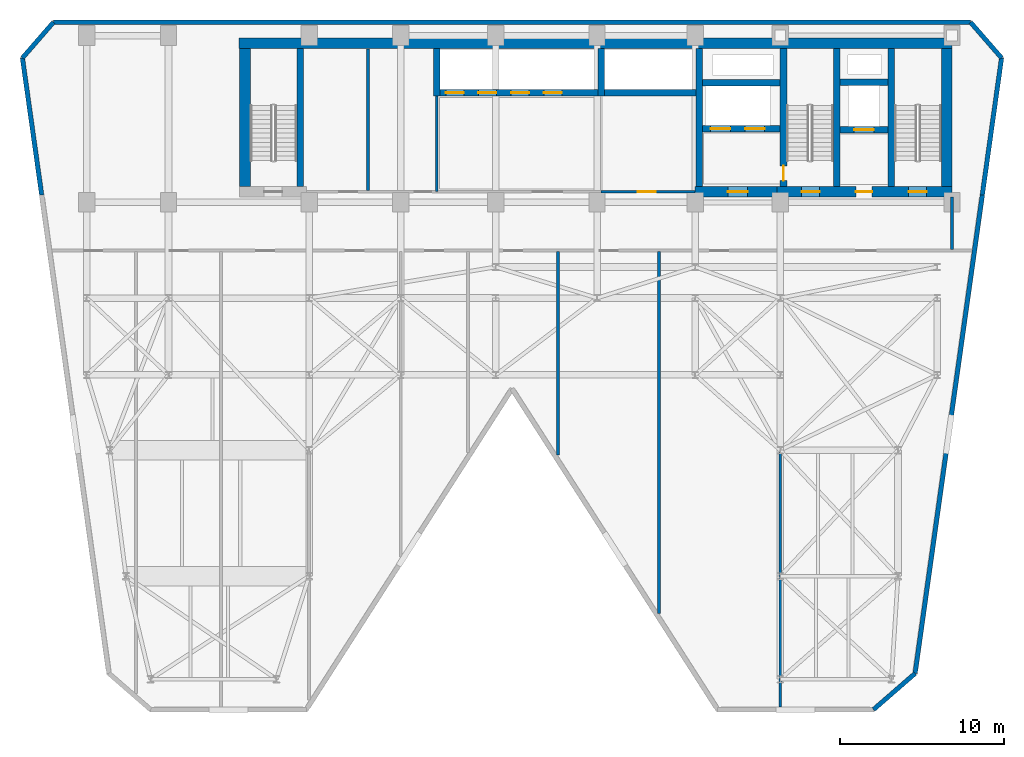
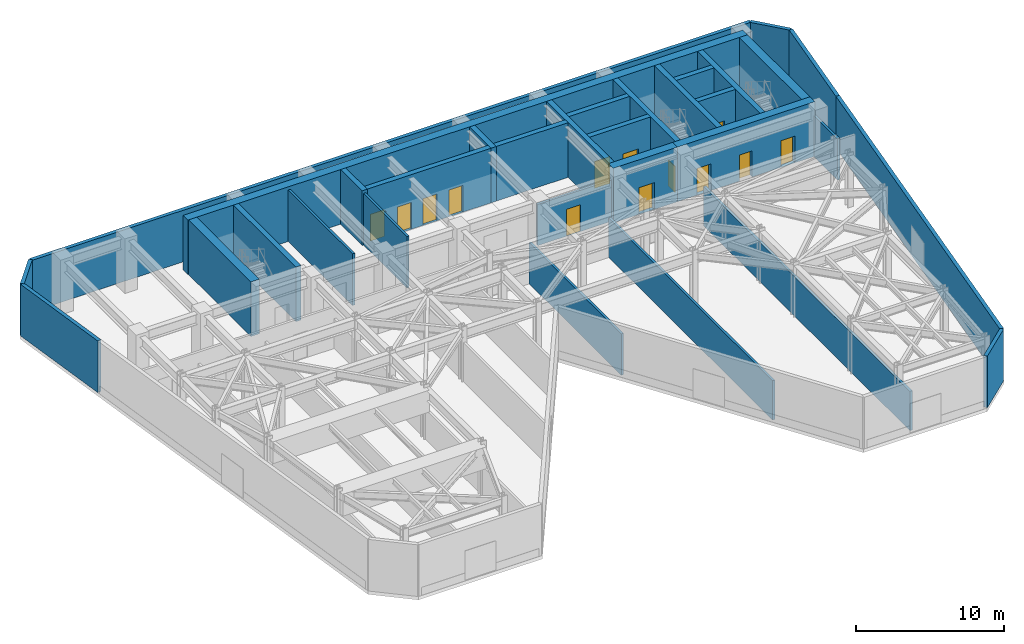
# One storey, part 4 of 8: 32 walls, 13 doors, 13 openings.
"""IFC4 building model written with IfcOpenShell, lengths in metres."""

from ifc_helpers import new_model, si_unit, direction, frame, frame_2d, origin, place, context, subcontext, project, spatial, rectangle, extrude, material, layer, layer_set, type_object, element, fill, save


model = new_model("IFC4")

# Units and contexts
model_context = context("Model", 3, precision=1e-05, world=origin(), true_north=direction((0.0, 1.0)))
body_context = subcontext(model_context, "Body", "Model", "MODEL_VIEW")
ifc_project = project(units=[si_unit("LENGTHUNIT", "METRE"), si_unit("AREAUNIT", "SQUARE_METRE"), si_unit("VOLUMEUNIT", "CUBIC_METRE"), si_unit("PLANEANGLEUNIT", "RADIAN"), si_unit("MASSUNIT", "GRAM", prefix="KILO")], contexts=[model_context])

# Site, building, storey
site_placement = place(None, origin())
site = spatial("IfcSite", under=ifc_project, at=site_placement, CompositionType="ELEMENT")
building_placement = place(site_placement, origin())
building = spatial("IfcBuilding", under=site, at=building_placement, Name="Kravanh Interchange Tower", CompositionType="ELEMENT")
storey_placement = place(building_placement, frame((0.0, 0.0, 156.0)))
storey = spatial("IfcBuildingStorey", under=building, at=storey_placement, Name="L37", CompositionType="ELEMENT", Elevation=156.0)

# Wall
ifc_material_1 = material(Name="Concrete C70/85", Category="concrete")
ifc_layer_1 = layer(ifc_material_1, 0.64990234375)
ifc_layer_set_1 = layer_set([ifc_layer_1], Name="Core Shear Wall Concrete C70/85 650mm")
wall_type_1 = type_object("IfcWallType", Name="Core Shear Wall Concrete C70/85 650mm", PredefinedType="SHEAR", material=ifc_layer_set_1)
wall_1_placement = place(storey_placement, frame((22.89990234375, 47.074951171875, 0.0), z_axis=(0.0, 0.0, 1.0), x_axis=(1.0, 0.0, 0.0)))
element("IfcWall", 1, at=wall_1_placement, inside=storey, type_object=wall_type_1, Name="L37 North Core Shear Wall", PredefinedType="SHEAR", context=body_context, shape_type="SweptSolid", body=[
    extrude(rectangle(XDim=43.60009765625, YDim=0.64990234375, at=frame_2d((21.800048828125, 0.0))), origin(), (0.0, 0.0, 1.0), 4.5),
])

# Wall, openings, doors
wall_2_placement = place(storey_placement, frame((55.800048828125, 38.0, 0.0), z_axis=(0.0, 0.0, 1.0), x_axis=(1.0, 0.0, 0.0)))
wall_2 = element("IfcWall", 2, at=wall_2_placement, inside=storey, type_object=wall_type_1, Name="L37 East Core South Shear Wall", PredefinedType="SHEAR", context=body_context, shape_type="SweptSolid", body=[
    extrude(rectangle(XDim=10.699951171875, YDim=0.64990234375, at=frame_2d((5.35009765625, 0.0))), origin(), (0.0, 0.0, 1.0), 4.5),
])
opening_1_placement = place(wall_2_placement, frame((1.5, 0.0, 0.0)))
opening_1 = element("IfcOpeningElement", 3, at=opening_1_placement, cuts=wall_2, Name="Opening D-STAIR-110", PredefinedType="OPENING", context=body_context, shape_type="SweptSolid", body=[
    extrude(rectangle(XDim=1.10009765625, YDim=2.199951171875, at=frame_2d((0.550048828125, 1.10009765625))), frame((0.0, 0.3349609375, 0.0), z_axis=(0.0, -1.0, 0.0), x_axis=(1.0, 0.0, 0.0)), (0.0, 0.0, 1.0), 0.669921875),
])
opening_2_placement = place(wall_2_placement, frame((4.820068359375, 0.0, 0.0)))
opening_2 = element("IfcOpeningElement", 4, at=opening_2_placement, cuts=wall_2, Name="Opening D-HOTEL-100", PredefinedType="OPENING", context=body_context, shape_type="SweptSolid", body=[
    extrude(rectangle(XDim=1.0, YDim=2.14990234375, at=frame_2d((0.5, 1.074951171875))), frame((0.0, 0.3349609375, 0.0), z_axis=(0.0, -1.0, 0.0), x_axis=(1.0, 0.0, 0.0)), (0.0, 0.0, 1.0), 0.669921875),
])
opening_3_placement = place(wall_2_placement, frame((8.050048828125, 0.0, 0.0)))
opening_3 = element("IfcOpeningElement", 5, at=opening_3_placement, cuts=wall_2, Name="Opening D-STAIR-110", PredefinedType="OPENING", context=body_context, shape_type="SweptSolid", body=[
    extrude(rectangle(XDim=1.10009765625, YDim=2.199951171875, at=frame_2d((0.550048828125, 1.10009765625))), frame((0.0, 0.3349609375, 0.0), z_axis=(0.0, -1.0, 0.0), x_axis=(1.0, 0.0, 0.0)), (0.0, 0.0, 1.0), 0.669921875),
])
ifc_material_2 = material(Name="Structural Steel S355", Category="steel")
door_type_1 = type_object("IfcDoorType", Name="Fire-Rated Exit Stair Door 1100x2200", OperationType="NOTDEFINED", PredefinedType="DOOR", material=ifc_material_2)
door_1_placement = place(opening_1_placement, origin())
door_1 = element("IfcDoor", 6, at=door_1_placement, inside=storey, type_object=door_type_1, Name="L37 Exit Stair ST2 Door", OperationType="SINGLE_SWING_RIGHT", OverallHeight=2.199951171875, OverallWidth=1.10009765625, PredefinedType="DOOR", context=body_context, shape_type="SweptSolid", body=[
    extrude(rectangle(XDim=1.10009765625, YDim=2.199951171875, at=frame_2d((0.550048828125, 1.10009765625))), frame((0.0, 0.02490234375, 0.0), z_axis=(0.0, -1.0, 0.0), x_axis=(1.0, 0.0, 0.0)), (0.0, 0.0, 1.0), 0.050048828125),
])
fill(opening_1, door_1)
door_2_placement = place(opening_3_placement, origin())
door_2 = element("IfcDoor", 7, at=door_2_placement, inside=storey, type_object=door_type_1, Name="L37 Exit Stair ST1 Door", OperationType="SINGLE_SWING_RIGHT", OverallHeight=2.199951171875, OverallWidth=1.10009765625, PredefinedType="DOOR", context=body_context, shape_type="SweptSolid", body=[
    extrude(rectangle(XDim=1.10009765625, YDim=2.199951171875, at=frame_2d((0.550048828125, 1.10009765625))), frame((0.0, 0.02490234375, 0.0), z_axis=(0.0, -1.0, 0.0), x_axis=(1.0, 0.0, 0.0)), (0.0, 0.0, 1.0), 0.050048828125),
])
fill(opening_3, door_2)
ifc_material_3 = material(Name="Fire-Rated Solid Timber Leaf", Category="wood")
door_type_2 = type_object("IfcDoorType", Name="Fire-Rated Suite Entrance Door 1000x2150", OperationType="NOTDEFINED", PredefinedType="DOOR", material=ifc_material_3)
door_3_placement = place(opening_2_placement, origin())
door_3 = element("IfcDoor", 8, at=door_3_placement, inside=storey, type_object=door_type_2, Name="L37 Service Lift Lobby Door", OperationType="SINGLE_SWING_RIGHT", OverallHeight=2.14990234375, OverallWidth=1.0, PredefinedType="DOOR", context=body_context, shape_type="SweptSolid", body=[
    extrude(rectangle(XDim=1.0, YDim=2.14990234375, at=frame_2d((0.5, 1.074951171875))), frame((0.0, 0.02490234375, 0.0), z_axis=(0.0, -1.0, 0.0), x_axis=(1.0, 0.0, 0.0)), (0.0, 0.0, 1.0), 0.050048828125),
])
fill(opening_2, door_3)

# Wall
wall_3_placement = place(storey_placement, frame((66.175048828125, 38.324951171875, 0.0), z_axis=(0.0, 0.0, 1.0), x_axis=(0.0, 1.0, 0.0)))
element("IfcWall", 9, at=wall_3_placement, inside=storey, type_object=wall_type_1, Name="L37 Stair ST1 East Shear Wall", PredefinedType="SHEAR", context=body_context, shape_type="SweptSolid", body=[
    extrude(rectangle(XDim=8.425048828125, YDim=0.64990234375, at=frame_2d((4.21240234375, 0.0))), origin(), (0.0, 0.0, 1.0), 4.5),
])

# Wall, opening, door
wall_4_placement = place(storey_placement, frame((50.800048828125, 38.0, 0.0), z_axis=(0.0, 0.0, 1.0), x_axis=(1.0, 0.0, 0.0)))
wall_4 = element("IfcWall", 10, at=wall_4_placement, inside=storey, type_object=wall_type_1, Name="L37 Firefighting Lobby South Shear Wall", PredefinedType="SHEAR", context=body_context, shape_type="SweptSolid", body=[
    extrude(rectangle(XDim=5.0, YDim=0.64990234375, at=frame_2d((2.5, 0.0))), origin(), (0.0, 0.0, 1.0), 4.5),
])
opening_4_placement = place(wall_4_placement, frame((2.0, 0.0, 0.0)))
opening_4 = element("IfcOpeningElement", 11, at=opening_4_placement, cuts=wall_4, Name="Opening D-FSAE-120", PredefinedType="OPENING", context=body_context, shape_type="SweptSolid", body=[
    extrude(rectangle(XDim=1.199951171875, YDim=2.199951171875, at=frame_2d((0.60009765625, 1.10009765625))), frame((0.0, 0.3349609375, 0.0), z_axis=(0.0, -1.0, 0.0), x_axis=(1.0, 0.0, 0.0)), (0.0, 0.0, 1.0), 0.669921875),
])
ifc_material_4 = material(Name="Structural Steel S355", Category="steel")
door_type_3 = type_object("IfcDoorType", Name="Fire-Rated Refuge and FSAE Door 1200x2200", OperationType="NOTDEFINED", PredefinedType="DOOR", material=ifc_material_4)
door_4_placement = place(opening_4_placement, origin())
door_4 = element("IfcDoor", 12, at=door_4_placement, inside=storey, type_object=door_type_3, Name="L37 Firefighting Lobby Corridor Door", OperationType="SINGLE_SWING_RIGHT", OverallHeight=2.199951171875, OverallWidth=1.199951171875, PredefinedType="DOOR", context=body_context, shape_type="SweptSolid", body=[
    extrude(rectangle(XDim=1.199951171875, YDim=2.199951171875, at=frame_2d((0.60009765625, 1.10009765625))), frame((0.0, 0.02490234375, 0.0), z_axis=(0.0, -1.0, 0.0), x_axis=(1.0, 0.0, 0.0)), (0.0, 0.0, 1.0), 0.050048828125),
])
fill(opening_4, door_4)

# Walls
wall_5_placement = place(storey_placement, frame((23.27490234375, 38.324951171875, 0.0), z_axis=(0.0, 0.0, 1.0), x_axis=(0.0, 1.0, 0.0)))
element("IfcWall", 13, at=wall_5_placement, inside=storey, type_object=wall_type_1, Name="L37 Stair ST3 West Shear Wall", PredefinedType="SHEAR", context=body_context, shape_type="SweptSolid", body=[
    extrude(rectangle(XDim=8.425048828125, YDim=0.64990234375, at=frame_2d((4.21240234375, 0.0))), origin(), (0.0, 0.0, 1.0), 4.5),
])
ifc_material_5 = material(Name="Concrete C80/95", Category="concrete")
ifc_layer_2 = layer(ifc_material_5, 0.39990234375)
ifc_layer_set_2 = layer_set([ifc_layer_2], Name="Core Shear Wall Concrete C80/95 400mm")
wall_type_2 = type_object("IfcWallType", Name="Core Shear Wall Concrete C80/95 400mm", PredefinedType="SHEAR", material=ifc_layer_set_2)
for number, where, z_axis, x_axis, name in (
    (14, (62.800048828125, 38.324951171875, 0.0), (0.0, 0.0, 1.0), (0.0, 1.0, 0.0), "L37 Stair ST1 West Shear Wall"),
    (15, (59.449951171875, 38.324951171875, 0.0), (0.0, 0.0, 1.0), (0.0, 1.0, 0.0), "L37 Stair ST2 East Shear Wall"),
):
    element("IfcWall", number, at=place(storey_placement, frame(where, z_axis=z_axis, x_axis=x_axis)), inside=storey, type_object=wall_type_2, Name=name, PredefinedType="SHEAR", context=body_context, shape_type="SweptSolid", body=[
        extrude(rectangle(XDim=8.425048828125, YDim=0.39990234375, at=frame_2d((4.21240234375, 0.0))), origin(), (0.0, 0.0, 1.0), 4.5),
    ])

# Wall, opening, door
wall_6_placement = place(storey_placement, frame((56.199951171875, 38.324951171875, 0.0), z_axis=(0.0, 0.0, 1.0), x_axis=(0.0, 1.0, 0.0)))
wall_6 = element("IfcWall", 16, at=wall_6_placement, inside=storey, type_object=wall_type_2, Name="L37 Stair ST2 West Shear Wall", PredefinedType="SHEAR", context=body_context, shape_type="SweptSolid", body=[
    extrude(rectangle(XDim=8.425048828125, YDim=0.39990234375, at=frame_2d((4.21240234375, 0.0))), origin(), (0.0, 0.0, 1.0), 4.5),
])
opening_5_placement = place(wall_6_placement, frame((0.35498046875, 0.0, 0.0)))
opening_5 = element("IfcOpeningElement", 17, at=opening_5_placement, cuts=wall_6, Name="Opening D-STAIR-90", PredefinedType="OPENING", context=body_context, shape_type="SweptSolid", body=[
    extrude(rectangle(XDim=0.89990234375, YDim=2.14990234375, at=frame_2d((0.449951171875, 1.074951171875))), frame((0.0, 0.2099609375, 0.0), z_axis=(0.0, -1.0, 0.0), x_axis=(1.0, 0.0, 0.0)), (0.0, 0.0, 1.0), 0.419921875),
])
ifc_material_6 = material(Name="Structural Steel S355", Category="steel")
door_type_4 = type_object("IfcDoorType", Name="Fire-Rated Stair Lobby Door 900x2150", OperationType="NOTDEFINED", PredefinedType="DOOR", material=ifc_material_6)
door_5_placement = place(opening_5_placement, origin())
door_5 = element("IfcDoor", 18, at=door_5_placement, inside=storey, type_object=door_type_4, Name="L37 Firefighting Lobby to Stair ST2 Door", OperationType="SINGLE_SWING_LEFT", OverallHeight=2.14990234375, OverallWidth=0.89990234375, PredefinedType="DOOR", context=body_context, shape_type="SweptSolid", body=[
    extrude(rectangle(XDim=0.89990234375, YDim=2.14990234375, at=frame_2d((0.449951171875, 1.074951171875))), frame((0.0, 0.02490234375, 0.0), z_axis=(0.0, -1.0, 0.0), x_axis=(1.0, 0.0, 0.0)), (0.0, 0.0, 1.0), 0.050048828125),
])
fill(opening_5, door_5)

wall_7_placement = place(storey_placement, frame((59.64990234375, 41.800048828125, 0.0), z_axis=(0.0, 0.0, 1.0), x_axis=(1.0, 0.0, 0.0)))
wall_7 = element("IfcWall", 19, at=wall_7_placement, inside=storey, type_object=wall_type_2, Name="L37 Service Lift Shaft South Wall", PredefinedType="SHEAR", context=body_context, shape_type="SweptSolid", body=[
    extrude(rectangle(XDim=2.9501953125, YDim=0.39990234375, at=frame_2d((1.47509765625, 0.0))), origin(), (0.0, 0.0, 1.0), 4.5),
])
opening_6_placement = place(wall_7_placement, frame((0.8701171875, 0.0, 0.0)))
opening_6 = element("IfcOpeningElement", 20, at=opening_6_placement, cuts=wall_7, Name="Opening LD02", PredefinedType="OPENING", context=body_context, shape_type="SweptSolid", body=[
    extrude(rectangle(XDim=1.199951171875, YDim=2.199951171875, at=frame_2d((0.60009765625, 1.10009765625))), frame((0.0, 0.2099609375, 0.0), z_axis=(0.0, -1.0, 0.0), x_axis=(1.0, 0.0, 0.0)), (0.0, 0.0, 1.0), 0.419921875),
])
ifc_material_7 = material(Name="Stainless Steel 316", Category="steel")
door_type_5 = type_object("IfcDoorType", Name="Fire and Service Lift Sliding Landing Door 1200x2200", OperationType="DOUBLE_DOOR_SLIDING", PredefinedType="DOOR", material=ifc_material_7)
door_6_placement = place(opening_6_placement, origin())
door_6 = element("IfcDoor", 21, at=door_6_placement, inside=storey, type_object=door_type_5, Name="L37 Lift LS-01 Landing Door", OperationType="DOUBLE_DOOR_SLIDING", OverallHeight=2.199951171875, OverallWidth=1.199951171875, PredefinedType="DOOR", context=body_context, shape_type="SweptSolid", body=[
    extrude(rectangle(XDim=1.199951171875, YDim=2.199951171875, at=frame_2d((0.60009765625, 1.10009765625))), frame((0.0, 0.02490234375, 0.0), z_axis=(0.0, -1.0, 0.0), x_axis=(1.0, 0.0, 0.0)), (0.0, 0.0, 1.0), 0.050048828125),
])
fill(opening_6, door_6)

# Wall
wall_8_placement = place(storey_placement, frame((59.64990234375, 44.699951171875, 0.0), z_axis=(0.0, 0.0, 1.0), x_axis=(1.0, 0.0, 0.0)))
element("IfcWall", 22, at=wall_8_placement, inside=storey, type_object=wall_type_2, Name="L37 Service Lift Shaft North Wall", PredefinedType="SHEAR", context=body_context, shape_type="SweptSolid", body=[
    extrude(rectangle(XDim=2.9501953125, YDim=0.39990234375, at=frame_2d((1.47509765625, 0.0))), origin(), (0.0, 0.0, 1.0), 4.5),
])

# Wall, openings, doors
wall_9_placement = place(storey_placement, frame((51.25, 41.85009765625, 0.0), z_axis=(0.0, 0.0, 1.0), x_axis=(1.0, 0.0, 0.0)))
wall_9 = element("IfcWall", 23, at=wall_9_placement, inside=storey, type_object=wall_type_2, Name="L37 Fire Lift Shaft South Wall", PredefinedType="SHEAR", context=body_context, shape_type="SweptSolid", body=[
    extrude(rectangle(XDim=4.75, YDim=0.39990234375, at=frame_2d((2.375, 0.0))), origin(), (0.0, 0.0, 1.0), 4.5),
])
opening_7_placement = place(wall_9_placement, frame((0.5, 0.0, 0.0)))
opening_7 = element("IfcOpeningElement", 24, at=opening_7_placement, cuts=wall_9, Name="Opening LD02", PredefinedType="OPENING", context=body_context, shape_type="SweptSolid", body=[
    extrude(rectangle(XDim=1.199951171875, YDim=2.199951171875, at=frame_2d((0.60009765625, 1.10009765625))), frame((0.0, 0.2099609375, 0.0), z_axis=(0.0, -1.0, 0.0), x_axis=(1.0, 0.0, 0.0)), (0.0, 0.0, 1.0), 0.419921875),
])
opening_8_placement = place(wall_9_placement, frame((2.60009765625, 0.0, 0.0)))
opening_8 = element("IfcOpeningElement", 25, at=opening_8_placement, cuts=wall_9, Name="Opening LD02", PredefinedType="OPENING", context=body_context, shape_type="SweptSolid", body=[
    extrude(rectangle(XDim=1.199951171875, YDim=2.199951171875, at=frame_2d((0.60009765625, 1.10009765625))), frame((0.0, 0.2099609375, 0.0), z_axis=(0.0, -1.0, 0.0), x_axis=(1.0, 0.0, 0.0)), (0.0, 0.0, 1.0), 0.419921875),
])
door_7_placement = place(opening_7_placement, origin())
door_7 = element("IfcDoor", 26, at=door_7_placement, inside=storey, type_object=door_type_5, Name="L37 Lift FSAE-01 Landing Door", OperationType="DOUBLE_DOOR_SLIDING", OverallHeight=2.199951171875, OverallWidth=1.199951171875, PredefinedType="DOOR", context=body_context, shape_type="SweptSolid", body=[
    extrude(rectangle(XDim=1.199951171875, YDim=2.199951171875, at=frame_2d((0.60009765625, 1.10009765625))), frame((0.0, 0.02490234375, 0.0), z_axis=(0.0, -1.0, 0.0), x_axis=(1.0, 0.0, 0.0)), (0.0, 0.0, 1.0), 0.050048828125),
])
fill(opening_7, door_7)
door_8_placement = place(opening_8_placement, origin())
door_8 = element("IfcDoor", 27, at=door_8_placement, inside=storey, type_object=door_type_5, Name="L37 Lift FSAE-02 Landing Door", OperationType="DOUBLE_DOOR_SLIDING", OverallHeight=2.199951171875, OverallWidth=1.199951171875, PredefinedType="DOOR", context=body_context, shape_type="SweptSolid", body=[
    extrude(rectangle(XDim=1.199951171875, YDim=2.199951171875, at=frame_2d((0.60009765625, 1.10009765625))), frame((0.0, 0.02490234375, 0.0), z_axis=(0.0, -1.0, 0.0), x_axis=(1.0, 0.0, 0.0)), (0.0, 0.0, 1.0), 0.050048828125),
])
fill(opening_8, door_8)

# Walls
wall_10_placement = place(storey_placement, frame((51.25, 44.64990234375, 0.0), z_axis=(0.0, 0.0, 1.0), x_axis=(1.0, 0.0, 0.0)))
element("IfcWall", 28, at=wall_10_placement, inside=storey, type_object=wall_type_2, Name="L37 Fire Lift Shaft North Wall", PredefinedType="SHEAR", context=body_context, shape_type="SweptSolid", body=[
    extrude(rectangle(XDim=4.75, YDim=0.39990234375, at=frame_2d((2.375, 0.0))), origin(), (0.0, 0.0, 1.0), 4.5),
])
wall_11_placement = place(storey_placement, frame((51.050048828125, 38.324951171875, 0.0), z_axis=(0.0, 0.0, 1.0), x_axis=(0.0, 1.0, 0.0)))
element("IfcWall", 29, at=wall_11_placement, inside=storey, type_object=wall_type_2, Name="L37 Firefighting Lobby West Wall", PredefinedType="SHEAR", context=body_context, shape_type="SweptSolid", body=[
    extrude(rectangle(XDim=8.425048828125, YDim=0.39990234375, at=frame_2d((4.21240234375, 0.0))), origin(), (0.0, 0.0, 1.0), 4.5),
])
wall_12_placement = place(storey_placement, frame((45.25, 44.050048828125, 0.0), z_axis=(0.0, 0.0, 1.0), x_axis=(1.0, 0.0, 0.0)))
element("IfcWall", 30, at=wall_12_placement, inside=storey, type_object=wall_type_2, Name="L37 High-Rise Lift Shaft South Wall", PredefinedType="SHEAR", context=body_context, shape_type="SweptSolid", body=[
    extrude(rectangle(XDim=5.60009765625, YDim=0.39990234375, at=frame_2d((2.800048828125, 0.0))), origin(), (0.0, 0.0, 1.0), 4.5),
])
wall_13_placement = place(storey_placement, frame((45.050048828125, 43.85009765625, 0.0), z_axis=(0.0, 0.0, 1.0), x_axis=(0.0, 1.0, 0.0)))
element("IfcWall", 31, at=wall_13_placement, inside=storey, type_object=wall_type_2, Name="L37 High-Rise Lift Shaft West Wall", PredefinedType="SHEAR", context=body_context, shape_type="SweptSolid", body=[
    extrude(rectangle(XDim=2.89990234375, YDim=0.39990234375, at=frame_2d((1.449951171875, 0.0))), origin(), (0.0, 0.0, 1.0), 4.5),
])

# Wall, openings, doors
wall_14_placement = place(storey_placement, frame((35.199951171875, 44.050048828125, 0.0), z_axis=(0.0, 0.0, 1.0), x_axis=(1.0, 0.0, 0.0)))
wall_14 = element("IfcWall", 32, at=wall_14_placement, inside=storey, type_object=wall_type_2, Name="L37 Mid-Rise Lift Shaft South Wall", PredefinedType="SHEAR", context=body_context, shape_type="SweptSolid", body=[
    extrude(rectangle(XDim=9.650146484375, YDim=0.39990234375, at=frame_2d((4.8251953125, 0.0))), origin(), (0.0, 0.0, 1.0), 4.5),
])
opening_9_placement = place(wall_14_placement, frame((0.35009765625, 0.0, 0.0)))
opening_9 = element("IfcOpeningElement", 33, at=opening_9_placement, cuts=wall_14, Name="Opening LD01", PredefinedType="OPENING", context=body_context, shape_type="SweptSolid", body=[
    extrude(rectangle(XDim=1.10009765625, YDim=2.199951171875, at=frame_2d((0.550048828125, 1.10009765625))), frame((0.0, 0.2099609375, 0.0), z_axis=(0.0, -1.0, 0.0), x_axis=(1.0, 0.0, 0.0)), (0.0, 0.0, 1.0), 0.419921875),
])
opening_10_placement = place(wall_14_placement, frame((2.35009765625, 0.0, 0.0)))
opening_10 = element("IfcOpeningElement", 34, at=opening_10_placement, cuts=wall_14, Name="Opening LD01", PredefinedType="OPENING", context=body_context, shape_type="SweptSolid", body=[
    extrude(rectangle(XDim=1.10009765625, YDim=2.199951171875, at=frame_2d((0.550048828125, 1.10009765625))), frame((0.0, 0.2099609375, 0.0), z_axis=(0.0, -1.0, 0.0), x_axis=(1.0, 0.0, 0.0)), (0.0, 0.0, 1.0), 0.419921875),
])
opening_11_placement = place(wall_14_placement, frame((4.35009765625, 0.0, 0.0)))
opening_11 = element("IfcOpeningElement", 35, at=opening_11_placement, cuts=wall_14, Name="Opening LD01", PredefinedType="OPENING", context=body_context, shape_type="SweptSolid", body=[
    extrude(rectangle(XDim=1.10009765625, YDim=2.199951171875, at=frame_2d((0.550048828125, 1.10009765625))), frame((0.0, 0.2099609375, 0.0), z_axis=(0.0, -1.0, 0.0), x_axis=(1.0, 0.0, 0.0)), (0.0, 0.0, 1.0), 0.419921875),
])
opening_12_placement = place(wall_14_placement, frame((6.35009765625, 0.0, 0.0)))
opening_12 = element("IfcOpeningElement", 36, at=opening_12_placement, cuts=wall_14, Name="Opening LD01", PredefinedType="OPENING", context=body_context, shape_type="SweptSolid", body=[
    extrude(rectangle(XDim=1.10009765625, YDim=2.199951171875, at=frame_2d((0.550048828125, 1.10009765625))), frame((0.0, 0.2099609375, 0.0), z_axis=(0.0, -1.0, 0.0), x_axis=(1.0, 0.0, 0.0)), (0.0, 0.0, 1.0), 0.419921875),
])
ifc_material_8 = material(Name="Stainless Steel 304", Category="steel")
door_type_6 = type_object("IfcDoorType", Name="Passenger Lift Sliding Landing Door 1100x2200", OperationType="DOUBLE_DOOR_SLIDING", PredefinedType="DOOR", material=ifc_material_8)
door_9_placement = place(opening_9_placement, origin())
door_9 = element("IfcDoor", 37, at=door_9_placement, inside=storey, type_object=door_type_6, Name="L37 Lift LP-M1 Landing Door", OperationType="DOUBLE_DOOR_SLIDING", OverallHeight=2.199951171875, OverallWidth=1.10009765625, PredefinedType="DOOR", context=body_context, shape_type="SweptSolid", body=[
    extrude(rectangle(XDim=1.10009765625, YDim=2.199951171875, at=frame_2d((0.550048828125, 1.10009765625))), frame((0.0, 0.02490234375, 0.0), z_axis=(0.0, -1.0, 0.0), x_axis=(1.0, 0.0, 0.0)), (0.0, 0.0, 1.0), 0.050048828125),
])
fill(opening_9, door_9)
door_10_placement = place(opening_10_placement, origin())
door_10 = element("IfcDoor", 38, at=door_10_placement, inside=storey, type_object=door_type_6, Name="L37 Lift LP-M2 Landing Door", OperationType="DOUBLE_DOOR_SLIDING", OverallHeight=2.199951171875, OverallWidth=1.10009765625, PredefinedType="DOOR", context=body_context, shape_type="SweptSolid", body=[
    extrude(rectangle(XDim=1.10009765625, YDim=2.199951171875, at=frame_2d((0.550048828125, 1.10009765625))), frame((0.0, 0.02490234375, 0.0), z_axis=(0.0, -1.0, 0.0), x_axis=(1.0, 0.0, 0.0)), (0.0, 0.0, 1.0), 0.050048828125),
])
fill(opening_10, door_10)
door_11_placement = place(opening_11_placement, origin())
door_11 = element("IfcDoor", 39, at=door_11_placement, inside=storey, type_object=door_type_6, Name="L37 Lift LP-M3 Landing Door", OperationType="DOUBLE_DOOR_SLIDING", OverallHeight=2.199951171875, OverallWidth=1.10009765625, PredefinedType="DOOR", context=body_context, shape_type="SweptSolid", body=[
    extrude(rectangle(XDim=1.10009765625, YDim=2.199951171875, at=frame_2d((0.550048828125, 1.10009765625))), frame((0.0, 0.02490234375, 0.0), z_axis=(0.0, -1.0, 0.0), x_axis=(1.0, 0.0, 0.0)), (0.0, 0.0, 1.0), 0.050048828125),
])
fill(opening_11, door_11)
door_12_placement = place(opening_12_placement, origin())
door_12 = element("IfcDoor", 40, at=door_12_placement, inside=storey, type_object=door_type_6, Name="L37 Lift LP-M4 Landing Door", OperationType="DOUBLE_DOOR_SLIDING", OverallHeight=2.199951171875, OverallWidth=1.10009765625, PredefinedType="DOOR", context=body_context, shape_type="SweptSolid", body=[
    extrude(rectangle(XDim=1.10009765625, YDim=2.199951171875, at=frame_2d((0.550048828125, 1.10009765625))), frame((0.0, 0.02490234375, 0.0), z_axis=(0.0, -1.0, 0.0), x_axis=(1.0, 0.0, 0.0)), (0.0, 0.0, 1.0), 0.050048828125),
])
fill(opening_12, door_12)

# Walls
wall_15_placement = place(storey_placement, frame((35.0, 43.85009765625, 0.0), z_axis=(0.0, 0.0, 1.0), x_axis=(0.0, 1.0, 0.0)))
element("IfcWall", 41, at=wall_15_placement, inside=storey, type_object=wall_type_2, Name="L37 Mid-Rise Lift Shaft West Wall", PredefinedType="SHEAR", context=body_context, shape_type="SweptSolid", body=[
    extrude(rectangle(XDim=2.89990234375, YDim=0.39990234375, at=frame_2d((1.449951171875, 0.0))), origin(), (0.0, 0.0, 1.0), 4.5),
])
wall_16_placement = place(storey_placement, frame((26.64990234375, 38.324951171875, 0.0), z_axis=(0.0, 0.0, 1.0), x_axis=(0.0, 1.0, 0.0)))
element("IfcWall", 42, at=wall_16_placement, inside=storey, type_object=wall_type_2, Name="L37 Stair ST3 East Shear Wall", PredefinedType="SHEAR", context=body_context, shape_type="SweptSolid", body=[
    extrude(rectangle(XDim=8.425048828125, YDim=0.39990234375, at=frame_2d((4.21240234375, 0.0))), origin(), (0.0, 0.0, 1.0), 4.5),
])
ifc_material_9 = material(Name="Insulated Precast Concrete C40/50 with Bronze Cladding", Category="concrete")
ifc_layer_3 = layer(ifc_material_9, 0.280029296875)
ifc_layer_set_3 = layer_set([ifc_layer_3], Name="Exterior Insulated Concrete C40/50 Bronze Spandrel Wall 280mm")
wall_type_3 = type_object("IfcWallType", Name="Exterior Insulated Concrete C40/50 Bronze Spandrel Wall 280mm", PredefinedType="STANDARD", material=ifc_layer_set_3)
wall_17_placement = place(storey_placement, frame((10.84521484375, 37.800048828125, 0.0), z_axis=(0.0, 0.0, 1.0), x_axis=(-0.139195146028, 0.990264970259, 0.0)))
element("IfcWall", 43, at=wall_17_placement, inside=storey, type_object=wall_type_3, Name="L37 Exterior Enclosure Wall 2", PredefinedType="STANDARD", context=body_context, shape_type="SweptSolid", body=[
    extrude(rectangle(XDim=8.4609375, YDim=0.280029296875, at=frame_2d((4.23046875, 0.0))), origin(), (0.0, 0.0, 1.0), 4.25),
])
wall_18_placement = place(storey_placement, frame((9.66748046875, 46.1787109375, 0.0), z_axis=(0.0, 0.0, 1.0), x_axis=(0.656055324299, 0.754712800646, 0.0)))
element("IfcWall", 44, at=wall_18_placement, inside=storey, type_object=wall_type_3, Name="L37 Exterior Enclosure Wall 3", PredefinedType="STANDARD", context=body_context, shape_type="SweptSolid", body=[
    extrude(rectangle(XDim=2.890380859375, YDim=0.280029296875, at=frame_2d((1.4453125, 0.0))), origin(), (0.0, 0.0, 1.0), 4.25),
])
wall_19_placement = place(storey_placement, frame((11.563720703125, 48.360107421875, 0.0), z_axis=(0.0, 0.0, 1.0), x_axis=(1.0, 0.0, 0.0)))
element("IfcWall", 45, at=wall_19_placement, inside=storey, type_object=wall_type_3, Name="L37 Exterior Enclosure Wall 4", PredefinedType="STANDARD", context=body_context, shape_type="SweptSolid", body=[
    extrude(rectangle(XDim=56.072509765625, YDim=0.280029296875, at=frame_2d((28.0361328125, 0.0))), origin(), (0.0, 0.0, 1.0), 4.25),
])
wall_20_placement = place(storey_placement, frame((67.63623046875, 48.360107421875, 0.0), z_axis=(0.0, 0.0, 1.0), x_axis=(0.656055324299, -0.754712800646, 0.0)))
element("IfcWall", 46, at=wall_20_placement, inside=storey, type_object=wall_type_3, Name="L37 Exterior Enclosure Wall 5", PredefinedType="STANDARD", context=body_context, shape_type="SweptSolid", body=[
    extrude(rectangle(XDim=2.890380859375, YDim=0.280029296875, at=frame_2d((1.4453125, 0.0))), origin(), (0.0, 0.0, 1.0), 4.25),
])
wall_21_placement = place(storey_placement, frame((69.532470703125, 46.1787109375, 0.0), z_axis=(0.0, 0.0, 1.0), x_axis=(-0.139195146028, -0.990264970259, 0.0)))
element("IfcWall", 47, at=wall_21_placement, inside=storey, type_object=wall_type_3, Name="L37 Exterior Enclosure Wall 6", PredefinedType="STANDARD", context=body_context, shape_type="SweptSolid", body=[
    extrude(rectangle(XDim=8.4609375, YDim=0.280029296875, at=frame_2d((4.23046875, 0.0))), origin(), (0.0, 0.0, 1.0), 4.25),
])
wall_22_placement = place(storey_placement, frame((68.354736328125, 37.800048828125, 0.0), z_axis=(0.0, 0.0, 1.0), x_axis=(-0.139168083715, -0.990268773856, 0.0)))
element("IfcWall", 48, at=wall_22_placement, inside=storey, type_object=wall_type_3, Name="L37 Exterior Enclosure Wall 7", PredefinedType="STANDARD", context=body_context, shape_type="SweptSolid", body=[
    extrude(rectangle(XDim=29.53857421875, YDim=0.280029296875, at=frame_2d((14.769287109375, 0.0))), origin(), (0.0, 0.0, 1.0), 4.25),
])
wall_23_placement = place(storey_placement, frame((64.243896484375, 8.548828125, 0.0), z_axis=(0.0, 0.0, 1.0), x_axis=(-0.754728837785, -0.656036875042, 0.0)))
element("IfcWall", 49, at=wall_23_placement, inside=storey, type_object=wall_type_3, Name="L37 Exterior Enclosure Wall 8", PredefinedType="STANDARD", context=body_context, shape_type="SweptSolid", body=[
    extrude(rectangle(XDim=3.36669921875, YDim=0.280029296875, at=frame_2d((1.683349609375, 0.0))), origin(), (0.0, 0.0, 1.0), 4.25),
])

# Wall, opening, door
ifc_material_10 = material(Name="Autoclaved Aerated Concrete C30/37 Blockwork", Category="masonry")
ifc_layer_4 = layer(ifc_material_10, 0.179931640625)
ifc_layer_set_4 = layer_set([ifc_layer_4], Name="Fire-Rated Lobby and Corridor Wall Concrete C30/37 180mm")
wall_type_4 = type_object("IfcWallType", Name="Fire-Rated Lobby and Corridor Wall Concrete C30/37 180mm", PredefinedType="STANDARD", material=ifc_layer_set_4)
wall_24_placement = place(storey_placement, frame((45.050048828125, 38.0, 0.0), z_axis=(0.0, 0.0, 1.0), x_axis=(1.0, 0.0, 0.0)))
wall_24 = element("IfcWall", 50, at=wall_24_placement, inside=storey, type_object=wall_type_4, Name="L37 Core South Enclosure 1", PredefinedType="STANDARD", context=body_context, shape_type="SweptSolid", body=[
    extrude(rectangle(XDim=5.75, YDim=0.179931640625, at=frame_2d((2.875, 0.0))), origin(), (0.0, 0.0, 1.0), 3.39404296875),
])
opening_13_placement = place(wall_24_placement, frame((2.240478515625, 0.0, 0.0)))
opening_13 = element("IfcOpeningElement", 51, at=opening_13_placement, cuts=wall_24, Name="Opening D-SHAFT-110", PredefinedType="OPENING", context=body_context, shape_type="SweptSolid", body=[
    extrude(rectangle(XDim=1.10009765625, YDim=2.199951171875, at=frame_2d((0.550048828125, 1.10009765625))), frame((0.0, 0.10009765625, 0.0), z_axis=(0.0, -1.0, 0.0), x_axis=(1.0, 0.0, 0.0)), (0.0, 0.0, 1.0), 0.199951171875),
])
ifc_material_11 = material(Name="Fire-Rated Composite Timber Leaf", Category="wood")
door_type_7 = type_object("IfcDoorType", Name="Fire-Rated Core Support Door 1100x2200", OperationType="NOTDEFINED", PredefinedType="DOOR", material=ifc_material_11)
door_13_placement = place(opening_13_placement, origin())
door_13 = element("IfcDoor", 52, at=door_13_placement, inside=storey, type_object=door_type_7, Name="L37 Core AHU Fan Room Door", OperationType="SINGLE_SWING_LEFT", OverallHeight=2.199951171875, OverallWidth=1.10009765625, PredefinedType="DOOR", context=body_context, shape_type="SweptSolid", body=[
    extrude(rectangle(XDim=1.10009765625, YDim=2.199951171875, at=frame_2d((0.550048828125, 1.10009765625))), frame((0.0, 0.02490234375, 0.0), z_axis=(0.0, -1.0, 0.0), x_axis=(1.0, 0.0, 0.0)), (0.0, 0.0, 1.0), 0.050048828125),
])
fill(opening_13, door_13)

# Walls
wall_25_placement = place(storey_placement, frame((35.0, 38.0, 0.0), z_axis=(0.0, 0.0, 1.0), x_axis=(0.0, 1.0, 0.0)))
element("IfcWall", 53, at=wall_25_placement, inside=storey, type_object=wall_type_4, Name="L37 Interior Partition 3", PredefinedType="STANDARD", context=body_context, shape_type="SweptSolid", body=[
    extrude(rectangle(XDim=5.85009765625, YDim=0.179931640625, at=frame_2d((2.925048828125, 0.0))), origin(), (0.0, 0.0, 1.0), 4.25),
])
wall_26_placement = place(storey_placement, frame((30.800048828125, 38.068115234375, 0.0), z_axis=(0.0, 0.0, 1.0), x_axis=(0.0, 1.0, 0.0)))
element("IfcWall", 54, at=wall_26_placement, inside=storey, type_object=wall_type_4, Name="L37 Interior Partition 4", PredefinedType="STANDARD", context=body_context, shape_type="SweptSolid", body=[
    extrude(rectangle(XDim=8.673828125, YDim=0.179931640625, at=frame_2d((4.3369140625, 0.0))), origin(), (0.0, 0.0, 1.0), 4.25),
])
wall_27_placement = place(storey_placement, frame((66.5, 34.468017578125, 0.0), z_axis=(0.0, 0.0, 1.0), x_axis=(0.0, 1.0, 0.0)))
element("IfcWall", 55, at=wall_27_placement, inside=storey, type_object=wall_type_4, Name="L37 Interior Partition 7", PredefinedType="STANDARD", context=body_context, shape_type="SweptSolid", body=[
    extrude(rectangle(XDim=3.198974609375, YDim=0.179931640625, at=frame_2d((1.599609375, 0.0))), origin(), (0.0, 0.0, 1.0), 3.39404296875),
])
wall_28_placement = place(storey_placement, frame((56.0, 6.5048828125, 0.0), z_axis=(0.0, 0.0, 1.0), x_axis=(0.0, 1.0, 0.0)))
element("IfcWall", 56, at=wall_28_placement, inside=storey, type_object=wall_type_4, Name="L37 Interior Partition 8", PredefinedType="STANDARD", context=body_context, shape_type="SweptSolid", body=[
    extrude(rectangle(XDim=27.8271484375, YDim=0.179931640625, at=frame_2d((13.91357421875, 0.0))), origin(), (0.0, 0.0, 1.0), 3.239013671875),
])
wall_29_placement = place(storey_placement, frame((42.39990234375, 21.897216796875, 0.0), z_axis=(0.0, 0.0, 1.0), x_axis=(0.0, 1.0, 0.0)))
element("IfcWall", 57, at=wall_29_placement, inside=storey, type_object=wall_type_4, Name="L37 Interior Partition 14", PredefinedType="STANDARD", context=body_context, shape_type="SweptSolid", body=[
    extrude(rectangle(XDim=12.434814453125, YDim=0.179931640625, at=frame_2d((6.21728515625, 0.0))), origin(), (0.0, 0.0, 1.0), 3.39404296875),
])
wall_30_placement = place(storey_placement, frame((48.60009765625, 12.22509765625, 0.0), z_axis=(0.0, 0.0, 1.0), x_axis=(0.0, 1.0, 0.0)))
element("IfcWall", 58, at=wall_30_placement, inside=storey, type_object=wall_type_4, Name="L37 Interior Partition 15", PredefinedType="STANDARD", context=body_context, shape_type="SweptSolid", body=[
    extrude(rectangle(XDim=22.10693359375, YDim=0.179931640625, at=frame_2d((11.053466796875, 0.0))), origin(), (0.0, 0.0, 1.0), 3.239013671875),
])

save(model, "model.ifc")
